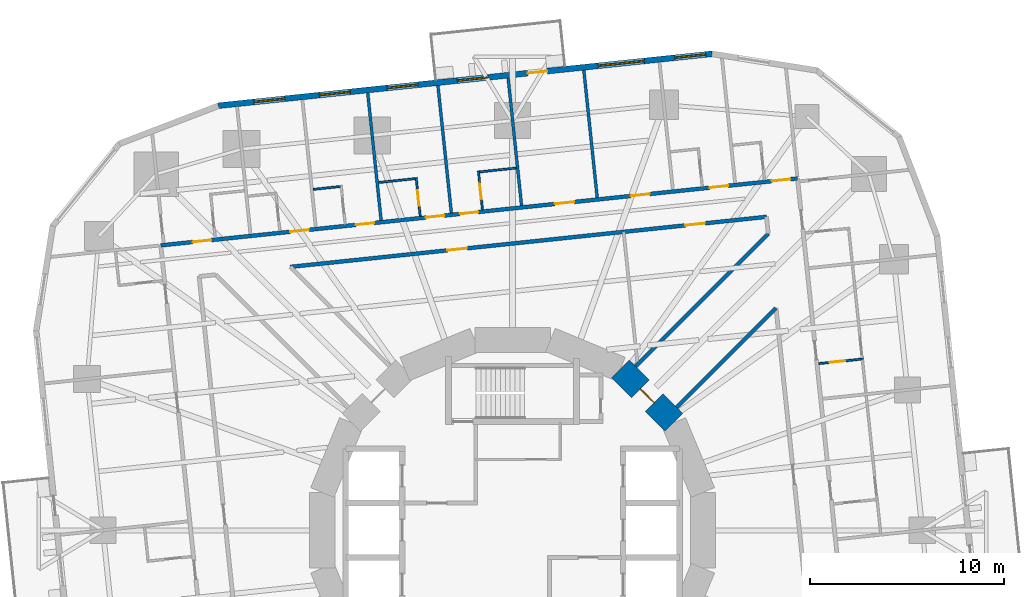
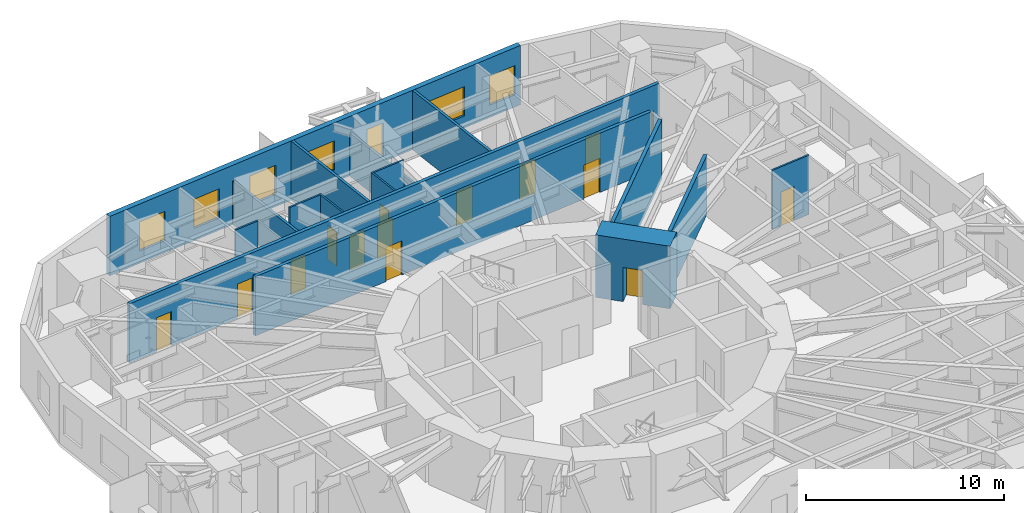
# One storey, part 10 of 13: 16 doors, 16 walls, 6 windows, 22 openings.
"""IFC4 building model written with IfcOpenShell, lengths in metres."""

from ifc_helpers import new_model, si_unit, direction, frame, frame_2d, origin, place, context, subcontext, project, spatial, rectangle, extrude, material, layer, layer_set, type_object, element, fill, save


model = new_model("IFC4")

# Units and contexts
model_context = context("Model", 3, precision=1e-05, world=origin(), true_north=direction((0.0, 1.0)))
body_context = subcontext(model_context, "Body", "Model", "MODEL_VIEW")
ifc_project = project(units=[si_unit("LENGTHUNIT", "METRE"), si_unit("AREAUNIT", "SQUARE_METRE"), si_unit("VOLUMEUNIT", "CUBIC_METRE"), si_unit("PLANEANGLEUNIT", "RADIAN"), si_unit("MASSUNIT", "GRAM", prefix="KILO")], contexts=[model_context])

# Site, building, storey
site_placement = place(None, origin())
site = spatial("IfcSite", under=ifc_project, at=site_placement, CompositionType="ELEMENT")
building_placement = place(site_placement, origin())
building = spatial("IfcBuilding", under=site, at=building_placement, Name="Nakasero Lantern House", CompositionType="ELEMENT")
storey_placement = place(building_placement, frame((0.0, 0.0, 79.75)))
storey = spatial("IfcBuildingStorey", under=building, at=storey_placement, Name="L19", CompositionType="ELEMENT", Elevation=79.75)

# Wall, opening, door
ifc_material_1 = material(Name="Concrete C50/60", Category="concrete")
ifc_layer_1 = layer(ifc_material_1, 1.300048828125)
ifc_layer_set_1 = layer_set([ifc_layer_1], Name="Core wall 1300")
wall_type_1 = type_object("IfcWallType", Name="Core wall 1300", PredefinedType="SHEAR", material=ifc_layer_set_1)
wall_1_placement = place(storey_placement, frame((8.314697265625, 5.5556640625, 0.0), z_axis=(0.0, 0.0, 1.0), x_axis=(-0.707106781187, 0.707106781187, 0.0)))
wall_1 = element("IfcWall", 1, at=wall_1_placement, inside=storey, type_object=wall_type_1, Name="Core wall L19 facet 2", PredefinedType="SHEAR", context=body_context, shape_type="SweptSolid", body=[
    extrude(rectangle(XDim=3.90185546875, YDim=1.300048828125, at=frame_2d((1.950927734375, 0.0))), origin(), (0.0, 0.0, 1.0), 3.85009765625),
])
opening_1_placement = place(wall_1_placement, frame((1.450927734375, 0.0, 0.0)))
opening_1 = element("IfcOpeningElement", 2, at=opening_1_placement, cuts=wall_1, Name="Opening D05", PredefinedType="OPENING", context=body_context, shape_type="SweptSolid", body=[
    extrude(rectangle(XDim=1.0, YDim=2.10009765625, at=frame_2d((0.5, 1.050048828125))), frame((0.0, 0.669921875, 0.0), z_axis=(0.0, -1.0, 0.0), x_axis=(1.0, 0.0, 0.0)), (0.0, 0.0, 1.0), 1.340087890625),
])
ifc_material_2 = material(Name="Timber C24", Category="wood")
door_type_1 = type_object("IfcDoorType", Name="Core door FD60S 1000", OperationType="SINGLE_SWING_LEFT", PredefinedType="DOOR", material=ifc_material_2)
door_1_placement = place(opening_1_placement, origin())
door_1 = element("IfcDoor", 3, at=door_1_placement, inside=storey, type_object=door_type_1, Name="Door L19 D-CORE02", OperationType="SINGLE_SWING_LEFT", OverallHeight=2.10009765625, OverallWidth=1.0, PredefinedType="DOOR", context=body_context, shape_type="SweptSolid", body=[
    extrude(rectangle(XDim=1.0, YDim=2.10009765625, at=frame_2d((0.5, 1.050048828125))), frame((0.0, 0.02490234375, 0.0), z_axis=(0.0, -1.0, 0.0), x_axis=(1.0, 0.0, 0.0)), (0.0, 0.0, 1.0), 0.050048828125),
])
fill(opening_1, door_1)

# Wall, openings, doors
ifc_material_3 = material(Name="Blockwork", Category="masonry")
ifc_layer_2 = layer(ifc_material_3, 0.199951171875)
ifc_layer_set_2 = layer_set([ifc_layer_2], Name="Corridor wall 200")
wall_type_2 = type_object("IfcWallType", Name="Corridor wall 200", PredefinedType="PARTITIONING", material=ifc_layer_set_2)
wall_2_placement = place(storey_placement, frame((14.684814453125, 18.13427734375, 0.0), z_axis=(0.0, 0.0, 1.0), x_axis=(-0.994521777723, -0.10452958258, 0.0)))
wall_2 = element("IfcWall", 4, at=wall_2_placement, inside=storey, type_object=wall_type_2, Name="Corridor wall L19 CW1", PredefinedType="PARTITIONING", context=body_context, shape_type="SweptSolid", body=[
    extrude(rectangle(XDim=32.999755859375, YDim=0.199951171875, at=frame_2d((16.5, 0.0))), origin(), (0.0, 0.0, 1.0), 3.64990234375),
])
opening_2_placement = place(wall_2_placement, frame((0.375, 0.0, 0.0)))
opening_2 = element("IfcOpeningElement", 5, at=opening_2_placement, cuts=wall_2, Name="Opening D01", PredefinedType="OPENING", context=body_context, shape_type="SweptSolid", body=[
    extrude(rectangle(XDim=0.949951171875, YDim=2.10009765625, at=frame_2d((0.47509765625, 1.050048828125))), frame((0.0, 0.119873046875, 0.0), z_axis=(0.0, -1.0, 0.0), x_axis=(1.0, 0.0, 0.0)), (0.0, 0.0, 1.0), 0.239990234375),
])
opening_3_placement = place(wall_2_placement, frame((3.600341796875, 0.0, 0.0)))
opening_3 = element("IfcOpeningElement", 6, at=opening_3_placement, cuts=wall_2, Name="Opening D01", PredefinedType="OPENING", context=body_context, shape_type="SweptSolid", body=[
    extrude(rectangle(XDim=0.949951171875, YDim=2.10009765625, at=frame_2d((0.47509765625, 1.050048828125))), frame((0.0, 0.119873046875, 0.0), z_axis=(0.0, -1.0, 0.0), x_axis=(1.0, 0.0, 0.0)), (0.0, 0.0, 1.0), 0.239990234375),
])
opening_4_placement = place(wall_2_placement, frame((16.542724609375, 0.0, 0.0)))
opening_4 = element("IfcOpeningElement", 7, at=opening_4_placement, cuts=wall_2, Name="Opening D01", PredefinedType="OPENING", context=body_context, shape_type="SweptSolid", body=[
    extrude(rectangle(XDim=0.949951171875, YDim=2.10009765625, at=frame_2d((0.47509765625, 1.050048828125))), frame((0.0, 0.119873046875, 0.0), z_axis=(0.0, -1.0, 0.0), x_axis=(1.0, 0.0, 0.0)), (0.0, 0.0, 1.0), 0.239990234375),
])
opening_5_placement = place(wall_2_placement, frame((18.306396484375, 0.0, 0.0)))
opening_5 = element("IfcOpeningElement", 8, at=opening_5_placement, cuts=wall_2, Name="Opening D01", PredefinedType="OPENING", context=body_context, shape_type="SweptSolid", body=[
    extrude(rectangle(XDim=0.949951171875, YDim=2.10009765625, at=frame_2d((0.47509765625, 1.050048828125))), frame((0.0, 0.119873046875, 0.0), z_axis=(0.0, -1.0, 0.0), x_axis=(1.0, 0.0, 0.0)), (0.0, 0.0, 1.0), 0.239990234375),
])
opening_6_placement = place(wall_2_placement, frame((21.945068359375, 0.0, 0.0)))
opening_6 = element("IfcOpeningElement", 9, at=opening_6_placement, cuts=wall_2, Name="Opening D01", PredefinedType="OPENING", context=body_context, shape_type="SweptSolid", body=[
    extrude(rectangle(XDim=0.949951171875, YDim=2.10009765625, at=frame_2d((0.47509765625, 1.050048828125))), frame((0.0, 0.119873046875, 0.0), z_axis=(0.0, -1.0, 0.0), x_axis=(1.0, 0.0, 0.0)), (0.0, 0.0, 1.0), 0.239990234375),
])
opening_7_placement = place(wall_2_placement, frame((25.33056640625, 0.0, 0.0)))
opening_7 = element("IfcOpeningElement", 10, at=opening_7_placement, cuts=wall_2, Name="Opening D01", PredefinedType="OPENING", context=body_context, shape_type="SweptSolid", body=[
    extrude(rectangle(XDim=0.949951171875, YDim=2.10009765625, at=frame_2d((0.47509765625, 1.050048828125))), frame((0.0, 0.119873046875, 0.0), z_axis=(0.0, -1.0, 0.0), x_axis=(1.0, 0.0, 0.0)), (0.0, 0.0, 1.0), 0.239990234375),
])
opening_8_placement = place(wall_2_placement, frame((30.39111328125, 0.0, 0.0)))
opening_8 = element("IfcOpeningElement", 11, at=opening_8_placement, cuts=wall_2, Name="Opening D01", PredefinedType="OPENING", context=body_context, shape_type="SweptSolid", body=[
    extrude(rectangle(XDim=0.949951171875, YDim=2.10009765625, at=frame_2d((0.47509765625, 1.050048828125))), frame((0.0, 0.119873046875, 0.0), z_axis=(0.0, -1.0, 0.0), x_axis=(1.0, 0.0, 0.0)), (0.0, 0.0, 1.0), 0.239990234375),
])
opening_9_placement = place(wall_2_placement, frame((7.650634765625, 0.0, 0.0)))
opening_9 = element("IfcOpeningElement", 12, at=opening_9_placement, cuts=wall_2, Name="Opening D03", PredefinedType="OPENING", context=body_context, shape_type="SweptSolid", body=[
    extrude(rectangle(XDim=1.0, YDim=2.10009765625, at=frame_2d((0.5, 1.050048828125))), frame((0.0, 0.119873046875, 0.0), z_axis=(0.0, -1.0, 0.0), x_axis=(1.0, 0.0, 0.0)), (0.0, 0.0, 1.0), 0.239990234375),
])
opening_10_placement = place(wall_2_placement, frame((11.57177734375, 0.0, 0.0)))
opening_10 = element("IfcOpeningElement", 13, at=opening_10_placement, cuts=wall_2, Name="Opening D03", PredefinedType="OPENING", context=body_context, shape_type="SweptSolid", body=[
    extrude(rectangle(XDim=1.0, YDim=2.10009765625, at=frame_2d((0.5, 1.050048828125))), frame((0.0, 0.119873046875, 0.0), z_axis=(0.0, -1.0, 0.0), x_axis=(1.0, 0.0, 0.0)), (0.0, 0.0, 1.0), 0.239990234375),
])
ifc_material_4 = material(Name="Timber C24", Category="wood")
door_type_2 = type_object("IfcDoorType", Name="Bedroom door FD30S 950", OperationType="SINGLE_SWING_LEFT", PredefinedType="DOOR", material=ifc_material_4)
door_2_placement = place(opening_2_placement, origin())
door_2 = element("IfcDoor", 14, at=door_2_placement, inside=storey, type_object=door_type_2, Name="Door L19 D1-00", OperationType="SINGLE_SWING_LEFT", OverallHeight=2.10009765625, OverallWidth=0.949951171875, PredefinedType="DOOR", context=body_context, shape_type="SweptSolid", body=[
    extrude(rectangle(XDim=0.949951171875, YDim=2.10009765625, at=frame_2d((0.47509765625, 1.050048828125))), frame((0.0, 0.02490234375, 0.0), z_axis=(0.0, -1.0, 0.0), x_axis=(1.0, 0.0, 0.0)), (0.0, 0.0, 1.0), 0.050048828125),
])
fill(opening_2, door_2)
door_3_placement = place(opening_3_placement, origin())
door_3 = element("IfcDoor", 15, at=door_3_placement, inside=storey, type_object=door_type_2, Name="Door L19 D1-01", OperationType="SINGLE_SWING_LEFT", OverallHeight=2.10009765625, OverallWidth=0.949951171875, PredefinedType="DOOR", context=body_context, shape_type="SweptSolid", body=[
    extrude(rectangle(XDim=0.949951171875, YDim=2.10009765625, at=frame_2d((0.47509765625, 1.050048828125))), frame((0.0, 0.02490234375, 0.0), z_axis=(0.0, -1.0, 0.0), x_axis=(1.0, 0.0, 0.0)), (0.0, 0.0, 1.0), 0.050048828125),
])
fill(opening_3, door_3)
door_4_placement = place(opening_4_placement, origin())
door_4 = element("IfcDoor", 16, at=door_4_placement, inside=storey, type_object=door_type_2, Name="Door L19 D1-04", OperationType="SINGLE_SWING_RIGHT", OverallHeight=2.10009765625, OverallWidth=0.949951171875, PredefinedType="DOOR", context=body_context, shape_type="SweptSolid", body=[
    extrude(rectangle(XDim=0.949951171875, YDim=2.10009765625, at=frame_2d((0.47509765625, 1.050048828125))), frame((0.0, 0.02490234375, 0.0), z_axis=(0.0, -1.0, 0.0), x_axis=(1.0, 0.0, 0.0)), (0.0, 0.0, 1.0), 0.050048828125),
])
fill(opening_4, door_4)
door_5_placement = place(opening_5_placement, origin())
door_5 = element("IfcDoor", 17, at=door_5_placement, inside=storey, type_object=door_type_2, Name="Door L19 D1-05", OperationType="SINGLE_SWING_RIGHT", OverallHeight=2.10009765625, OverallWidth=0.949951171875, PredefinedType="DOOR", context=body_context, shape_type="SweptSolid", body=[
    extrude(rectangle(XDim=0.949951171875, YDim=2.10009765625, at=frame_2d((0.47509765625, 1.050048828125))), frame((0.0, 0.02490234375, 0.0), z_axis=(0.0, -1.0, 0.0), x_axis=(1.0, 0.0, 0.0)), (0.0, 0.0, 1.0), 0.050048828125),
])
fill(opening_5, door_5)
door_6_placement = place(opening_6_placement, origin())
door_6 = element("IfcDoor", 18, at=door_6_placement, inside=storey, type_object=door_type_2, Name="Door L19 D1-06", OperationType="SINGLE_SWING_RIGHT", OverallHeight=2.10009765625, OverallWidth=0.949951171875, PredefinedType="DOOR", context=body_context, shape_type="SweptSolid", body=[
    extrude(rectangle(XDim=0.949951171875, YDim=2.10009765625, at=frame_2d((0.47509765625, 1.050048828125))), frame((0.0, 0.02490234375, 0.0), z_axis=(0.0, -1.0, 0.0), x_axis=(1.0, 0.0, 0.0)), (0.0, 0.0, 1.0), 0.050048828125),
])
fill(opening_6, door_6)
door_7_placement = place(opening_7_placement, origin())
door_7 = element("IfcDoor", 19, at=door_7_placement, inside=storey, type_object=door_type_2, Name="Door L19 D1-07", OperationType="SINGLE_SWING_RIGHT", OverallHeight=2.10009765625, OverallWidth=0.949951171875, PredefinedType="DOOR", context=body_context, shape_type="SweptSolid", body=[
    extrude(rectangle(XDim=0.949951171875, YDim=2.10009765625, at=frame_2d((0.47509765625, 1.050048828125))), frame((0.0, 0.02490234375, 0.0), z_axis=(0.0, -1.0, 0.0), x_axis=(1.0, 0.0, 0.0)), (0.0, 0.0, 1.0), 0.050048828125),
])
fill(opening_7, door_7)
door_8_placement = place(opening_8_placement, origin())
door_8 = element("IfcDoor", 20, at=door_8_placement, inside=storey, type_object=door_type_2, Name="Door L19 D1-08", OperationType="SINGLE_SWING_RIGHT", OverallHeight=2.10009765625, OverallWidth=0.949951171875, PredefinedType="DOOR", context=body_context, shape_type="SweptSolid", body=[
    extrude(rectangle(XDim=0.949951171875, YDim=2.10009765625, at=frame_2d((0.47509765625, 1.050048828125))), frame((0.0, 0.02490234375, 0.0), z_axis=(0.0, -1.0, 0.0), x_axis=(1.0, 0.0, 0.0)), (0.0, 0.0, 1.0), 0.050048828125),
])
fill(opening_8, door_8)
ifc_material_5 = material(Name="Timber C24", Category="wood")
door_type_3 = type_object("IfcDoorType", Name="Lounge door FD30S 1000", OperationType="SINGLE_SWING_LEFT", PredefinedType="DOOR", material=ifc_material_5)
door_9_placement = place(opening_9_placement, origin())
door_9 = element("IfcDoor", 21, at=door_9_placement, inside=storey, type_object=door_type_3, Name="Door L19 DK1", OperationType="SINGLE_SWING_LEFT", OverallHeight=2.10009765625, OverallWidth=1.0, PredefinedType="DOOR", context=body_context, shape_type="SweptSolid", body=[
    extrude(rectangle(XDim=1.0, YDim=2.10009765625, at=frame_2d((0.5, 1.050048828125))), frame((0.0, 0.02490234375, 0.0), z_axis=(0.0, -1.0, 0.0), x_axis=(1.0, 0.0, 0.0)), (0.0, 0.0, 1.0), 0.050048828125),
])
fill(opening_9, door_9)
door_10_placement = place(opening_10_placement, origin())
door_10 = element("IfcDoor", 22, at=door_10_placement, inside=storey, type_object=door_type_3, Name="Door L19 DK1-1", OperationType="SINGLE_SWING_LEFT", OverallHeight=2.10009765625, OverallWidth=1.0, PredefinedType="DOOR", context=body_context, shape_type="SweptSolid", body=[
    extrude(rectangle(XDim=1.0, YDim=2.10009765625, at=frame_2d((0.5, 1.050048828125))), frame((0.0, 0.02490234375, 0.0), z_axis=(0.0, -1.0, 0.0), x_axis=(1.0, 0.0, 0.0)), (0.0, 0.0, 1.0), 0.050048828125),
])
fill(opening_10, door_10)

wall_3_placement = place(storey_placement, frame((13.0830078125, 16.156005859375, 0.0), z_axis=(0.0, 0.0, 1.0), x_axis=(-0.994521922819, -0.104528202096, 0.0)))
wall_3 = element("IfcWall", 23, at=wall_3_placement, inside=storey, type_object=wall_type_2, Name="Corridor wall L19 IW1-0", PredefinedType="PARTITIONING", context=body_context, shape_type="SweptSolid", body=[
    extrude(rectangle(XDim=24.673828125, YDim=0.199951171875, at=frame_2d((12.3369140625, 0.0))), origin(), (0.0, 0.0, 1.0), 3.64990234375),
])
opening_11_placement = place(wall_3_placement, frame((3.201171875, 0.0, 0.0)))
opening_11 = element("IfcOpeningElement", 24, at=opening_11_placement, cuts=wall_3, Name="Opening D07", PredefinedType="OPENING", context=body_context, shape_type="SweptSolid", body=[
    extrude(rectangle(XDim=1.0, YDim=2.10009765625, at=frame_2d((0.5, 1.050048828125))), frame((0.0, 0.119873046875, 0.0), z_axis=(0.0, -1.0, 0.0), x_axis=(1.0, 0.0, 0.0)), (0.0, 0.0, 1.0), 0.239990234375),
])
opening_12_placement = place(wall_3_placement, frame((15.537841796875, 0.0, 0.0)))
opening_12 = element("IfcOpeningElement", 25, at=opening_12_placement, cuts=wall_3, Name="Opening D07", PredefinedType="OPENING", context=body_context, shape_type="SweptSolid", body=[
    extrude(rectangle(XDim=1.0, YDim=2.10009765625, at=frame_2d((0.5, 1.050048828125))), frame((0.0, 0.119873046875, 0.0), z_axis=(0.0, -1.0, 0.0), x_axis=(1.0, 0.0, 0.0)), (0.0, 0.0, 1.0), 0.239990234375),
])
ifc_material_6 = material(Name="Timber C24", Category="wood")
door_type_4 = type_object("IfcDoorType", Name="Room door FD30S 1000", OperationType="SINGLE_SWING_LEFT", PredefinedType="DOOR", material=ifc_material_6)
door_11_placement = place(opening_11_placement, origin())
door_11 = element("IfcDoor", 26, at=door_11_placement, inside=storey, type_object=door_type_4, Name="Door L19 DI3", OperationType="SINGLE_SWING_LEFT", OverallHeight=2.10009765625, OverallWidth=1.0, PredefinedType="DOOR", context=body_context, shape_type="SweptSolid", body=[
    extrude(rectangle(XDim=1.0, YDim=2.10009765625, at=frame_2d((0.5, 1.050048828125))), frame((0.0, 0.02490234375, 0.0), z_axis=(0.0, -1.0, 0.0), x_axis=(1.0, 0.0, 0.0)), (0.0, 0.0, 1.0), 0.050048828125),
])
fill(opening_11, door_11)
door_12_placement = place(opening_12_placement, origin())
door_12 = element("IfcDoor", 27, at=door_12_placement, inside=storey, type_object=door_type_4, Name="Door L19 DI3S", OperationType="SINGLE_SWING_RIGHT", OverallHeight=2.10009765625, OverallWidth=1.0, PredefinedType="DOOR", context=body_context, shape_type="SweptSolid", body=[
    extrude(rectangle(XDim=1.0, YDim=2.10009765625, at=frame_2d((0.5, 1.050048828125))), frame((0.0, 0.02490234375, 0.0), z_axis=(0.0, -1.0, 0.0), x_axis=(1.0, 0.0, 0.0)), (0.0, 0.0, 1.0), 0.050048828125),
])
fill(opening_12, door_12)

# Walls
wall_4_placement = place(storey_placement, frame((6.334228515625, 8.45556640625, 0.0), z_axis=(0.0, 0.0, 1.0), x_axis=(0.707106781187, 0.707106781187, 0.0)))
element("IfcWall", 28, at=wall_4_placement, inside=storey, type_object=wall_type_2, Name="Corridor wall L19 PS02a", PredefinedType="PARTITIONING", context=body_context, shape_type="SweptSolid", body=[
    extrude(rectangle(XDim=9.671875, YDim=0.199951171875, at=frame_2d((4.8359375, 0.0))), origin(), (0.0, 0.0, 1.0), 3.64990234375),
])
wall_5_placement = place(storey_placement, frame((8.45556640625, 6.334228515625, 0.0), z_axis=(0.0, 0.0, 1.0), x_axis=(0.707106781187, 0.707106781187, 0.0)))
element("IfcWall", 29, at=wall_5_placement, inside=storey, type_object=wall_type_2, Name="Corridor wall L19 PS02b", PredefinedType="PARTITIONING", context=body_context, shape_type="SweptSolid", body=[
    extrude(rectangle(XDim=7.24267578125, YDim=0.199951171875, at=frame_2d((3.621337890625, 0.0))), origin(), (0.0, 0.0, 1.0), 3.64990234375),
])

# Wall, opening, door
ifc_material_7 = material(Name="Blockwork", Category="masonry")
ifc_layer_3 = layer(ifc_material_7, 0.10009765625)
ifc_layer_set_3 = layer_set([ifc_layer_3], Name="En-suite wall 100")
wall_type_3 = type_object("IfcWallType", Name="En-suite wall 100", PredefinedType="PARTITIONING", material=ifc_layer_set_3)
wall_6_placement = place(storey_placement, frame((15.788330078125, 8.592529296875, 0.0), z_axis=(0.0, 0.0, 1.0), x_axis=(0.994529855142, 0.104452703326, 0.0)))
wall_6 = element("IfcWall", 30, at=wall_6_placement, inside=storey, type_object=wall_type_3, Name="En-suite wall L19 ES0-06", PredefinedType="PARTITIONING", context=body_context, shape_type="SweptSolid", body=[
    extrude(rectangle(XDim=2.300048828125, YDim=0.10009765625, at=frame_2d((1.14990234375, 0.0))), origin(), (0.0, 0.0, 1.0), 3.64990234375),
])
opening_13_placement = place(wall_6_placement, frame((0.550048828125, 0.0, 0.0)))
opening_13 = element("IfcOpeningElement", 31, at=opening_13_placement, cuts=wall_6, Name="Opening D02", PredefinedType="OPENING", context=body_context, shape_type="SweptSolid", body=[
    extrude(rectangle(XDim=0.800048828125, YDim=2.10009765625, at=frame_2d((0.39990234375, 1.050048828125))), frame((0.0, 0.070068359375, 0.0), z_axis=(0.0, -1.0, 0.0), x_axis=(1.0, 0.0, 0.0)), (0.0, 0.0, 1.0), 0.14013671875),
])
ifc_material_8 = material(Name="Timber C24", Category="wood")
door_type_5 = type_object("IfcDoorType", Name="En-suite door 800", OperationType="SINGLE_SWING_RIGHT", PredefinedType="DOOR", material=ifc_material_8)
door_13_placement = place(opening_13_placement, origin())
door_13 = element("IfcDoor", 32, at=door_13_placement, inside=storey, type_object=door_type_5, Name="Door L19 DE0-06", OperationType="SINGLE_SWING_LEFT", OverallHeight=2.10009765625, OverallWidth=0.800048828125, PredefinedType="DOOR", context=body_context, shape_type="SweptSolid", body=[
    extrude(rectangle(XDim=0.800048828125, YDim=2.10009765625, at=frame_2d((0.39990234375, 1.050048828125))), frame((0.0, 0.02490234375, 0.0), z_axis=(0.0, -1.0, 0.0), x_axis=(1.0, 0.0, 0.0)), (0.0, 0.0, 1.0), 0.050048828125),
])
fill(opening_13, door_13)

wall_7_placement = place(storey_placement, frame((-1.553955078125, 16.528076171875, 0.0), z_axis=(0.0, 0.0, 1.0), x_axis=(-0.104494148666, 0.99452550138, 0.0)))
wall_7 = element("IfcWall", 33, at=wall_7_placement, inside=storey, type_object=wall_type_3, Name="En-suite wall L19 ES1-04", PredefinedType="PARTITIONING", context=body_context, shape_type="SweptSolid", body=[
    extrude(rectangle(XDim=2.0, YDim=0.10009765625, at=frame_2d((1.0, 0.0))), origin(), (0.0, 0.0, 1.0), 3.64990234375),
])
opening_14_placement = place(wall_7_placement, frame((0.550048828125, 0.0, 0.0)))
opening_14 = element("IfcOpeningElement", 34, at=opening_14_placement, cuts=wall_7, Name="Opening D02", PredefinedType="OPENING", context=body_context, shape_type="SweptSolid", body=[
    extrude(rectangle(XDim=0.800048828125, YDim=2.10009765625, at=frame_2d((0.39990234375, 1.050048828125))), frame((0.0, 0.070068359375, 0.0), z_axis=(0.0, -1.0, 0.0), x_axis=(1.0, 0.0, 0.0)), (0.0, 0.0, 1.0), 0.14013671875),
])
door_14_placement = place(opening_14_placement, origin())
door_14 = element("IfcDoor", 35, at=door_14_placement, inside=storey, type_object=door_type_5, Name="Door L19 DE1-04", OperationType="SINGLE_SWING_LEFT", OverallHeight=2.10009765625, OverallWidth=0.800048828125, PredefinedType="DOOR", context=body_context, shape_type="SweptSolid", body=[
    extrude(rectangle(XDim=0.800048828125, YDim=2.10009765625, at=frame_2d((0.39990234375, 1.050048828125))), frame((0.0, 0.02490234375, 0.0), z_axis=(0.0, -1.0, 0.0), x_axis=(1.0, 0.0, 0.0)), (0.0, 0.0, 1.0), 0.050048828125),
])
fill(opening_14, door_14)

# Wall
wall_8_placement = place(storey_placement, frame((0.181396484375, 18.671142578125, 0.0), z_axis=(0.0, 0.0, 1.0), x_axis=(-0.994527260141, -0.104477408256, 0.0)))
element("IfcWall", 36, at=wall_8_placement, inside=storey, type_object=wall_type_3, Name="En-suite wall L19 EE1-04", PredefinedType="PARTITIONING", context=body_context, shape_type="SweptSolid", body=[
    extrude(rectangle(XDim=1.89990234375, YDim=0.10009765625, at=frame_2d((0.949951171875, 0.0))), origin(), (0.0, 0.0, 1.0), 3.64990234375),
])

# Wall, opening, door
wall_9_placement = place(storey_placement, frame((-4.763427734375, 16.190673828125, 0.0), z_axis=(0.0, 0.0, 1.0), x_axis=(-0.104602187203, 0.994514143908, 0.0)))
wall_9 = element("IfcWall", 37, at=wall_9_placement, inside=storey, type_object=wall_type_3, Name="En-suite wall L19 ES1-05", PredefinedType="PARTITIONING", context=body_context, shape_type="SweptSolid", body=[
    extrude(rectangle(XDim=2.000244140625, YDim=0.10009765625, at=frame_2d((1.0, 0.0))), origin(), (0.0, 0.0, 1.0), 3.64990234375),
])
opening_15_placement = place(wall_9_placement, frame((0.550048828125, 0.0, 0.0)))
opening_15 = element("IfcOpeningElement", 38, at=opening_15_placement, cuts=wall_9, Name="Opening D02", PredefinedType="OPENING", context=body_context, shape_type="SweptSolid", body=[
    extrude(rectangle(XDim=0.800048828125, YDim=2.10009765625, at=frame_2d((0.39990234375, 1.050048828125))), frame((0.0, 0.070068359375, 0.0), z_axis=(0.0, -1.0, 0.0), x_axis=(1.0, 0.0, 0.0)), (0.0, 0.0, 1.0), 0.14013671875),
])
door_15_placement = place(opening_15_placement, origin())
door_15 = element("IfcDoor", 39, at=door_15_placement, inside=storey, type_object=door_type_5, Name="Door L19 DE1-05", OperationType="SINGLE_SWING_LEFT", OverallHeight=2.10009765625, OverallWidth=0.800048828125, PredefinedType="DOOR", context=body_context, shape_type="SweptSolid", body=[
    extrude(rectangle(XDim=0.800048828125, YDim=2.10009765625, at=frame_2d((0.39990234375, 1.050048828125))), frame((0.0, 0.02490234375, 0.0), z_axis=(0.0, -1.0, 0.0), x_axis=(1.0, 0.0, 0.0)), (0.0, 0.0, 1.0), 0.050048828125),
])
fill(opening_15, door_15)

# Walls
wall_10_placement = place(storey_placement, frame((-5.01708984375, 18.124755859375, 0.0), z_axis=(0.0, 0.0, 1.0), x_axis=(-0.994528662611, -0.104464057197, 0.0)))
element("IfcWall", 40, at=wall_10_placement, inside=storey, type_object=wall_type_3, Name="En-suite wall L19 EE1-05", PredefinedType="PARTITIONING", context=body_context, shape_type="SweptSolid", body=[
    extrude(rectangle(XDim=1.900146484375, YDim=0.10009765625, at=frame_2d((0.9501953125, 0.0))), origin(), (0.0, 0.0, 1.0), 3.64990234375),
])
wall_11_placement = place(storey_placement, frame((-8.88134765625, 17.71875, 0.0), z_axis=(0.0, 0.0, 1.0), x_axis=(-0.994511184598, -0.104630319263, 0.0)))
element("IfcWall", 41, at=wall_11_placement, inside=storey, type_object=wall_type_3, Name="En-suite wall L19 EE1-06", PredefinedType="PARTITIONING", context=body_context, shape_type="SweptSolid", body=[
    extrude(rectangle(XDim=1.39990234375, YDim=0.10009765625, at=frame_2d((0.699951171875, 0.0))), origin(), (0.0, 0.0, 1.0), 3.64990234375),
])

# Wall, openings, door, windows
ifc_material_9 = material(Name="Aluminium rainscreen on blockwork", Category="masonry")
ifc_layer_4 = layer(ifc_material_9, 0.300048828125)
ifc_layer_set_4 = layer_set([ifc_layer_4], Name="Facade wall 300")
wall_type_4 = type_object("IfcWallType", Name="Facade wall 300", PredefinedType="SOLIDWALL", material=ifc_layer_set_4)
wall_12_placement = place(storey_placement, frame((10.2890625, 24.56005859375, 0.0), z_axis=(0.0, 0.0, 1.0), x_axis=(-0.994521483895, -0.104532378096, 0.0)))
wall_12 = element("IfcWall", 42, at=wall_12_placement, inside=storey, type_object=wall_type_4, Name="Facade wall L19 FW1S", PredefinedType="SOLIDWALL", context=body_context, shape_type="SweptSolid", body=[
    extrude(rectangle(XDim=25.599853515625, YDim=0.300048828125, at=frame_2d((12.7998046875, 0.0))), origin(), (0.0, 0.0, 1.0), 3.64990234375),
])
opening_16_placement = place(wall_12_placement, frame((0.337890625, 0.0, 0.75)))
opening_16 = element("IfcOpeningElement", 43, at=opening_16_placement, cuts=wall_12, Name="Opening W01", PredefinedType="OPENING", context=body_context, shape_type="SweptSolid", body=[
    extrude(rectangle(XDim=1.60009765625, YDim=1.800048828125, at=frame_2d((0.800048828125, 0.89990234375))), frame((0.0, 0.169921875, 0.0), z_axis=(0.0, -1.0, 0.0), x_axis=(1.0, 0.0, 0.0)), (0.0, 0.0, 1.0), 0.340087890625),
])
opening_17_placement = place(wall_12_placement, frame((11.612060546875, 0.0, 0.75)))
opening_17 = element("IfcOpeningElement", 44, at=opening_17_placement, cuts=wall_12, Name="Opening W01", PredefinedType="OPENING", context=body_context, shape_type="SweptSolid", body=[
    extrude(rectangle(XDim=1.60009765625, YDim=1.800048828125, at=frame_2d((0.800048828125, 0.89990234375))), frame((0.0, 0.169921875, 0.0), z_axis=(0.0, -1.0, 0.0), x_axis=(1.0, 0.0, 0.0)), (0.0, 0.0, 1.0), 0.340087890625),
])
opening_18_placement = place(wall_12_placement, frame((15.250732421875, 0.0, 0.75)))
opening_18 = element("IfcOpeningElement", 45, at=opening_18_placement, cuts=wall_12, Name="Opening W01", PredefinedType="OPENING", context=body_context, shape_type="SweptSolid", body=[
    extrude(rectangle(XDim=1.60009765625, YDim=1.800048828125, at=frame_2d((0.800048828125, 0.89990234375))), frame((0.0, 0.169921875, 0.0), z_axis=(0.0, -1.0, 0.0), x_axis=(1.0, 0.0, 0.0)), (0.0, 0.0, 1.0), 0.340087890625),
])
opening_19_placement = place(wall_12_placement, frame((18.7626953125, 0.0, 0.75)))
opening_19 = element("IfcOpeningElement", 46, at=opening_19_placement, cuts=wall_12, Name="Opening W01", PredefinedType="OPENING", context=body_context, shape_type="SweptSolid", body=[
    extrude(rectangle(XDim=1.60009765625, YDim=1.800048828125, at=frame_2d((0.800048828125, 0.89990234375))), frame((0.0, 0.169921875, 0.0), z_axis=(0.0, -1.0, 0.0), x_axis=(1.0, 0.0, 0.0)), (0.0, 0.0, 1.0), 0.340087890625),
])
opening_20_placement = place(wall_12_placement, frame((22.1484375, 0.0, 0.75)))
opening_20 = element("IfcOpeningElement", 47, at=opening_20_placement, cuts=wall_12, Name="Opening W01", PredefinedType="OPENING", context=body_context, shape_type="SweptSolid", body=[
    extrude(rectangle(XDim=1.60009765625, YDim=1.800048828125, at=frame_2d((0.800048828125, 0.89990234375))), frame((0.0, 0.169921875, 0.0), z_axis=(0.0, -1.0, 0.0), x_axis=(1.0, 0.0, 0.0)), (0.0, 0.0, 1.0), 0.340087890625),
])
opening_21_placement = place(wall_12_placement, frame((3.51123046875, 0.0, 0.75)))
opening_21 = element("IfcOpeningElement", 48, at=opening_21_placement, cuts=wall_12, Name="Opening W03", PredefinedType="OPENING", context=body_context, shape_type="SweptSolid", body=[
    extrude(rectangle(XDim=2.39990234375, YDim=1.800048828125, at=frame_2d((1.199951171875, 0.89990234375))), frame((0.0, 0.169921875, 0.0), z_axis=(0.0, -1.0, 0.0), x_axis=(1.0, 0.0, 0.0)), (0.0, 0.0, 1.0), 0.340087890625),
])
opening_22_placement = place(wall_12_placement, frame((8.558837890625, 0.0, 0.0)))
opening_22 = element("IfcOpeningElement", 49, at=opening_22_placement, cuts=wall_12, Name="Opening D04", PredefinedType="OPENING", context=body_context, shape_type="SweptSolid", body=[
    extrude(rectangle(XDim=1.0, YDim=2.39990234375, at=frame_2d((0.5, 1.199951171875))), frame((0.0, 0.169921875, 0.0), z_axis=(0.0, -1.0, 0.0), x_axis=(1.0, 0.0, 0.0)), (0.0, 0.0, 1.0), 0.340087890625),
])
ifc_material_10 = material(Name="Aluminium 6063-T6 and glass", Category="aluminium")
door_type_6 = type_object("IfcDoorType", Name="Balcony door 1000x2400", OperationType="SINGLE_SWING_RIGHT", PredefinedType="DOOR", material=ifc_material_10)
door_16_placement = place(opening_22_placement, origin())
door_16 = element("IfcDoor", 50, at=door_16_placement, inside=storey, type_object=door_type_6, Name="Balcony door L19 DB1", OperationType="SINGLE_SWING_RIGHT", OverallHeight=2.39990234375, OverallWidth=1.0, PredefinedType="DOOR", context=body_context, shape_type="SweptSolid", body=[
    extrude(rectangle(XDim=1.0, YDim=2.39990234375, at=frame_2d((0.5, 1.199951171875))), frame((0.0, 0.02490234375, 0.0), z_axis=(0.0, -1.0, 0.0), x_axis=(1.0, 0.0, 0.0)), (0.0, 0.0, 1.0), 0.050048828125),
])
fill(opening_22, door_16)
ifc_material_11 = material(Name="Aluminium 6063-T6 and glass", Category="aluminium")
window_type_1 = type_object("IfcWindowType", Name="Bedroom window 1600x1800", PartitioningType="SINGLE_PANEL", PredefinedType="WINDOW", material=ifc_material_11)
window_1_placement = place(opening_16_placement, origin())
window_1 = element("IfcWindow", 51, at=window_1_placement, inside=storey, type_object=window_type_1, Name="Window L19 WN1-01", OverallHeight=1.800048828125, OverallWidth=1.60009765625, PartitioningType="SINGLE_PANEL", PredefinedType="WINDOW", context=body_context, shape_type="SweptSolid", body=[
    extrude(rectangle(XDim=1.60009765625, YDim=1.800048828125, at=frame_2d((0.800048828125, 0.89990234375))), frame((0.0, 0.030029296875, 0.0), z_axis=(0.0, -1.0, 0.0), x_axis=(1.0, 0.0, 0.0)), (0.0, 0.0, 1.0), 0.06005859375),
])
fill(opening_16, window_1)
window_2_placement = place(opening_17_placement, origin())
window_2 = element("IfcWindow", 52, at=window_2_placement, inside=storey, type_object=window_type_1, Name="Window L19 WN1-04", OverallHeight=1.800048828125, OverallWidth=1.60009765625, PartitioningType="SINGLE_PANEL", PredefinedType="WINDOW", context=body_context, shape_type="SweptSolid", body=[
    extrude(rectangle(XDim=1.60009765625, YDim=1.800048828125, at=frame_2d((0.800048828125, 0.89990234375))), frame((0.0, 0.030029296875, 0.0), z_axis=(0.0, -1.0, 0.0), x_axis=(1.0, 0.0, 0.0)), (0.0, 0.0, 1.0), 0.06005859375),
])
fill(opening_17, window_2)
window_3_placement = place(opening_18_placement, origin())
window_3 = element("IfcWindow", 53, at=window_3_placement, inside=storey, type_object=window_type_1, Name="Window L19 WN1-05", OverallHeight=1.800048828125, OverallWidth=1.60009765625, PartitioningType="SINGLE_PANEL", PredefinedType="WINDOW", context=body_context, shape_type="SweptSolid", body=[
    extrude(rectangle(XDim=1.60009765625, YDim=1.800048828125, at=frame_2d((0.800048828125, 0.89990234375))), frame((0.0, 0.030029296875, 0.0), z_axis=(0.0, -1.0, 0.0), x_axis=(1.0, 0.0, 0.0)), (0.0, 0.0, 1.0), 0.06005859375),
])
fill(opening_18, window_3)
window_4_placement = place(opening_19_placement, origin())
window_4 = element("IfcWindow", 54, at=window_4_placement, inside=storey, type_object=window_type_1, Name="Window L19 WN1-06", OverallHeight=1.800048828125, OverallWidth=1.60009765625, PartitioningType="SINGLE_PANEL", PredefinedType="WINDOW", context=body_context, shape_type="SweptSolid", body=[
    extrude(rectangle(XDim=1.60009765625, YDim=1.800048828125, at=frame_2d((0.800048828125, 0.89990234375))), frame((0.0, 0.030029296875, 0.0), z_axis=(0.0, -1.0, 0.0), x_axis=(1.0, 0.0, 0.0)), (0.0, 0.0, 1.0), 0.06005859375),
])
fill(opening_19, window_4)
window_5_placement = place(opening_20_placement, origin())
window_5 = element("IfcWindow", 55, at=window_5_placement, inside=storey, type_object=window_type_1, Name="Window L19 WN1-07", OverallHeight=1.800048828125, OverallWidth=1.60009765625, PartitioningType="SINGLE_PANEL", PredefinedType="WINDOW", context=body_context, shape_type="SweptSolid", body=[
    extrude(rectangle(XDim=1.60009765625, YDim=1.800048828125, at=frame_2d((0.800048828125, 0.89990234375))), frame((0.0, 0.030029296875, 0.0), z_axis=(0.0, -1.0, 0.0), x_axis=(1.0, 0.0, 0.0)), (0.0, 0.0, 1.0), 0.06005859375),
])
fill(opening_20, window_5)
ifc_material_12 = material(Name="Aluminium 6063-T6 and glass", Category="aluminium")
window_type_2 = type_object("IfcWindowType", Name="Lounge window 2400x1800", PartitioningType="SINGLE_PANEL", PredefinedType="WINDOW", material=ifc_material_12)
window_6_placement = place(opening_21_placement, origin())
window_6 = element("IfcWindow", 56, at=window_6_placement, inside=storey, type_object=window_type_2, Name="Window L19 WK1", OverallHeight=1.800048828125, OverallWidth=2.39990234375, PartitioningType="SINGLE_PANEL", PredefinedType="WINDOW", context=body_context, shape_type="SweptSolid", body=[
    extrude(rectangle(XDim=2.39990234375, YDim=1.800048828125, at=frame_2d((1.199951171875, 0.89990234375))), frame((0.0, 0.030029296875, 0.0), z_axis=(0.0, -1.0, 0.0), x_axis=(1.0, 0.0, 0.0)), (0.0, 0.0, 1.0), 0.06005859375),
])
fill(opening_21, window_6)

# Walls
ifc_material_13 = material(Name="Blockwork", Category="masonry")
ifc_layer_5 = layer(ifc_material_13, 0.14990234375)
ifc_layer_set_5 = layer_set([ifc_layer_5], Name="Party wall 150")
wall_type_5 = type_object("IfcWallType", Name="Party wall 150", PredefinedType="PARTITIONING", material=ifc_layer_set_5)
wall_13_placement = place(storey_placement, frame((4.359619140625, 17.149658203125, 0.0), z_axis=(0.0, 0.0, 1.0), x_axis=(-0.104538438287, 0.994520846901, 0.0)))
element("IfcWall", 57, at=wall_13_placement, inside=storey, type_object=wall_type_5, Name="Party wall L19 PW1-03", PredefinedType="PARTITIONING", context=body_context, shape_type="SweptSolid", body=[
    extrude(rectangle(XDim=6.599853515625, YDim=0.14990234375, at=frame_2d((3.2998046875, 0.0))), origin(), (0.0, 0.0, 1.0), 3.64990234375),
])
wall_14_placement = place(storey_placement, frame((0.4599609375, 16.73974609375, 0.0), z_axis=(0.0, 0.0, 1.0), x_axis=(-0.104534592565, 0.994521251134, 0.0)))
element("IfcWall", 58, at=wall_14_placement, inside=storey, type_object=wall_type_5, Name="Party wall L19 PW1-04", PredefinedType="PARTITIONING", context=body_context, shape_type="SweptSolid", body=[
    extrude(rectangle(XDim=6.60009765625, YDim=0.14990234375, at=frame_2d((3.300048828125, 0.0))), origin(), (0.0, 0.0, 1.0), 2.650146484375),
])
wall_15_placement = place(storey_placement, frame((-3.15869140625, 16.359375, 0.0), z_axis=(0.0, 0.0, 1.0), x_axis=(-0.104534592565, 0.994521251134, 0.0)))
element("IfcWall", 59, at=wall_15_placement, inside=storey, type_object=wall_type_5, Name="Party wall L19 PW1-05", PredefinedType="PARTITIONING", context=body_context, shape_type="SweptSolid", body=[
    extrude(rectangle(XDim=6.60009765625, YDim=0.14990234375, at=frame_2d((3.300048828125, 0.0))), origin(), (0.0, 0.0, 1.0), 3.64990234375),
])
wall_16_placement = place(storey_placement, frame((-6.77734375, 15.97900390625, 0.0), z_axis=(0.0, 0.0, 1.0), x_axis=(-0.104534592565, 0.994521251134, 0.0)))
element("IfcWall", 60, at=wall_16_placement, inside=storey, type_object=wall_type_5, Name="Party wall L19 PW1-06", PredefinedType="PARTITIONING", context=body_context, shape_type="SweptSolid", body=[
    extrude(rectangle(XDim=6.60009765625, YDim=0.14990234375, at=frame_2d((3.300048828125, 0.0))), origin(), (0.0, 0.0, 1.0), 2.669921875),
])

save(model, "model.ifc")
